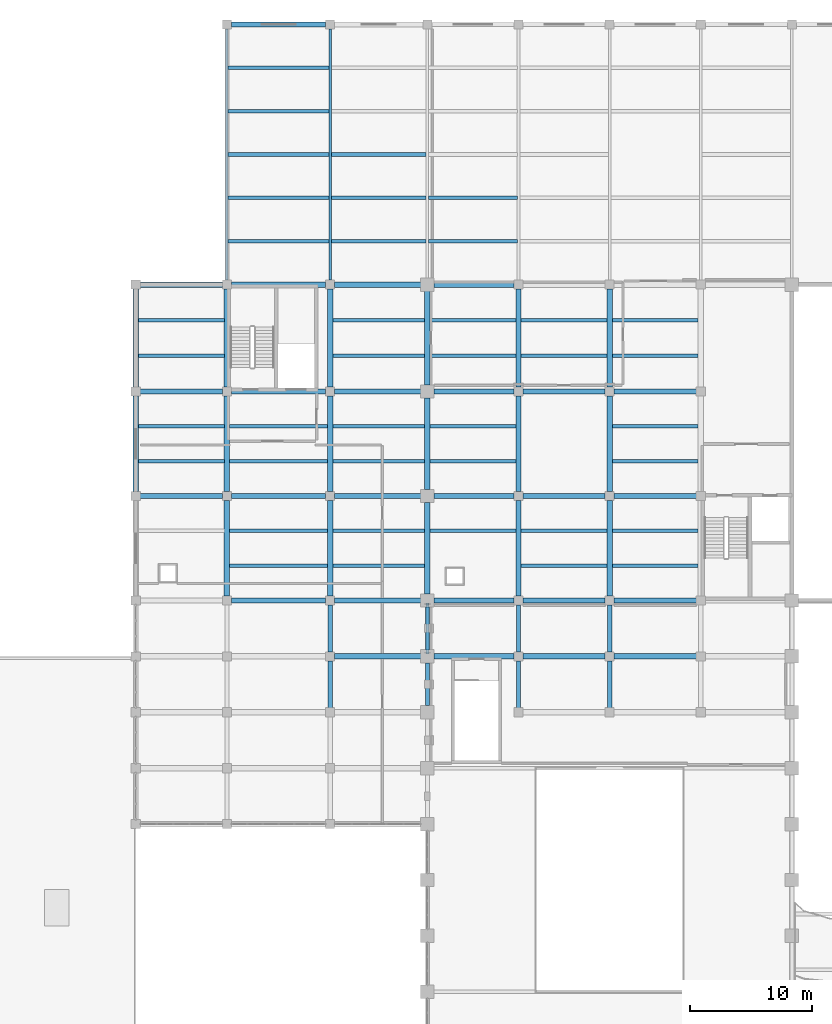
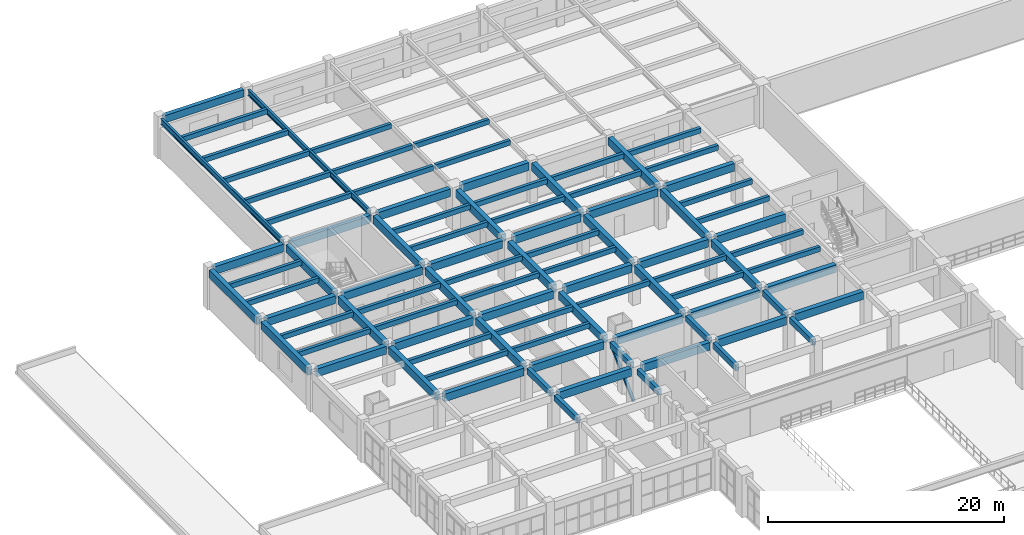
# One storey, part 32 of 90: 92 beams, 1 member.
"""IFC4 building model written with IfcOpenShell, lengths in metres."""

from ifc_helpers import new_model, si_unit, direction, frame, origin, origin_2d, place, context, subcontext, project, spatial, rectangle, hollow_rectangle, i_section, extrude, material, material_profile, profile_set, type_object, element, save


model = new_model("IFC4")

# Units and contexts
model_context = context("Model", 3, precision=1e-05, world=origin(), true_north=direction((0.0, 1.0)))
body_context = subcontext(model_context, "Body", "Model", "MODEL_VIEW")
ifc_project = project(units=[si_unit("LENGTHUNIT", "METRE"), si_unit("AREAUNIT", "SQUARE_METRE"), si_unit("VOLUMEUNIT", "CUBIC_METRE"), si_unit("PLANEANGLEUNIT", "RADIAN"), si_unit("MASSUNIT", "GRAM", prefix="KILO")], contexts=[model_context])

# Site, building, storey
site_placement = place(None, origin())
site = spatial("IfcSite", under=ifc_project, at=site_placement, CompositionType="ELEMENT")
building_placement = place(site_placement, origin())
building = spatial("IfcBuilding", under=site, at=building_placement, Name="Muzn Square Opera House", CompositionType="ELEMENT")
storey_placement = place(building_placement, frame((0.0, 0.0, 9.800048828125)))
storey = spatial("IfcBuildingStorey", under=building, at=storey_placement, Name="L02", CompositionType="ELEMENT", Elevation=9.800048828125)

# Beams
ifc_material_1 = material(Name="Concrete C40/50", Category="concrete")
ifc_material_profile_1 = material_profile(ifc_material_1, rectangle(XDim=0.300048828125, YDim=0.5, at=origin_2d()), Name="RCJ 300x500", Category="concrete")
ifc_profile_set_1 = profile_set([ifc_material_profile_1], Name="Concrete C40/50")
beam_type_1 = type_object("IfcBeamType", Name="Floor Joist 300x500", PredefinedType="JOIST", material=ifc_profile_set_1)
for number, where, z_axis, x_axis, name in (
    (1, (19.217041015625, 84.066650390625, 3.869873046875), (1.0, 0.0, 0.0), (0.0, 1.0, 0.0), "Floor Joist BM-L02-BM-J500-192_841_263_841-2297"),
    (2, (19.217041015625, 86.933349609375, 3.869873046875), (1.0, 0.0, 0.0), (0.0, 1.0, 0.0), "Floor Joist BM-L02-BM-J500-192_869_263_869-2298"),
    (3, (19.217041015625, 92.7333984375, 3.869873046875), (1.0, 0.0, 0.0), (0.0, 1.0, 0.0), "Floor Joist BM-L02-BM-J500-192_927_263_927-2299"),
    (4, (19.217041015625, 95.666748046875, 3.869873046875), (1.0, 0.0, 0.0), (0.0, 1.0, 0.0), "Floor Joist BM-L02-BM-J500-192_957_263_957-2300"),
):
    element("IfcBeam", number, at=place(storey_placement, frame(where, z_axis=z_axis, x_axis=x_axis)), inside=storey, type_object=beam_type_1, Name=name, PredefinedType="JOIST", context=body_context, shape_type="SweptSolid", body=[
        extrude(rectangle(XDim=0.300048828125, YDim=0.5, at=origin_2d()), origin(), (0.0, 0.0, 1.0), 7.06591796875),
    ])
for number, where, z_axis, x_axis, name in (
    (5, (26.717041015625, 75.466796875, 3.869873046875), (1.0, 0.0, 0.0), (0.0, 1.0, 0.0), "Floor Joist BM-L02-BM-J500-267_755_348_755-2302"),
    (6, (26.717041015625, 78.333251953125, 3.869873046875), (1.0, 0.0, 0.0), (0.0, 1.0, 0.0), "Floor Joist BM-L02-BM-J500-267_783_348_783-2303"),
    (7, (26.717041015625, 84.066650390625, 3.869873046875), (1.0, 0.0, 0.0), (0.0, 1.0, 0.0), "Floor Joist BM-L02-BM-J500-267_841_348_841-2304"),
    (8, (26.717041015625, 86.933349609375, 3.869873046875), (1.0, 0.0, 0.0), (0.0, 1.0, 0.0), "Floor Joist BM-L02-BM-J500-267_869_348_869-2305"),
):
    element("IfcBeam", number, at=place(storey_placement, frame(where, z_axis=z_axis, x_axis=x_axis)), inside=storey, type_object=beam_type_1, Name=name, PredefinedType="JOIST", context=body_context, shape_type="SweptSolid", body=[
        extrude(rectangle(XDim=0.300048828125, YDim=0.5, at=origin_2d()), origin(), (0.0, 0.0, 1.0), 8.06591796875),
    ])
for number, where, z_axis, x_axis, name in (
    (9, (26.60205078125, 102.166748046875, 3.89990234375), (1.0, 0.0, 0.0), (0.0, 1.0, 0.0), "Floor Joist BM-L02-BM-J500-266_1022_349_1022-2306"),
    (10, (26.60205078125, 105.7333984375, 3.89990234375), (1.0, 0.0, 0.0), (0.0, 1.0, 0.0), "Floor Joist BM-L02-BM-J500-266_1057_349_1057-2307"),
    (11, (26.60205078125, 109.300048828125, 3.89990234375), (1.0, 0.0, 0.0), (0.0, 1.0, 0.0), "Floor Joist BM-L02-BM-J500-266_1093_349_1093-2308"),
    (12, (26.60205078125, 112.86669921875, 3.89990234375), (1.0, 0.0, 0.0), (0.0, 1.0, 0.0), "Floor Joist BM-L02-BM-J500-266_1129_349_1129-2309"),
    (13, (26.60205078125, 116.433349609375, 3.89990234375), (1.0, 0.0, 0.0), (0.0, 1.0, 0.0), "Floor Joist BM-L02-BM-J500-266_1164_349_1164-2310"),
):
    element("IfcBeam", number, at=place(storey_placement, frame(where, z_axis=z_axis, x_axis=x_axis)), inside=storey, type_object=beam_type_1, Name=name, PredefinedType="JOIST", context=body_context, shape_type="SweptSolid", body=[
        extrude(rectangle(XDim=0.300048828125, YDim=0.5, at=origin_2d()), origin(), (0.0, 0.0, 1.0), 8.2958984375),
    ])
for number, where, z_axis, x_axis, name in (
    (14, (35.217041015625, 75.466796875, 3.869873046875), (1.0, 0.0, 0.0), (0.0, 1.0, 0.0), "Floor Joist BM-L02-BM-J500-352_755_428_755-2311"),
    (15, (35.217041015625, 78.333251953125, 3.869873046875), (1.0, 0.0, 0.0), (0.0, 1.0, 0.0), "Floor Joist BM-L02-BM-J500-352_783_428_783-2312"),
    (16, (35.217041015625, 84.066650390625, 3.869873046875), (1.0, 0.0, 0.0), (0.0, 1.0, 0.0), "Floor Joist BM-L02-BM-J500-352_841_428_841-2313"),
    (17, (35.217041015625, 86.933349609375, 3.869873046875), (1.0, 0.0, 0.0), (0.0, 1.0, 0.0), "Floor Joist BM-L02-BM-J500-352_869_428_869-2314"),
    (18, (35.217041015625, 92.7333984375, 3.869873046875), (1.0, 0.0, 0.0), (0.0, 1.0, 0.0), "Floor Joist BM-L02-BM-J500-352_927_428_927-2315"),
    (19, (35.217041015625, 95.666748046875, 3.869873046875), (1.0, 0.0, 0.0), (0.0, 1.0, 0.0), "Floor Joist BM-L02-BM-J500-352_957_428_957-2316"),
):
    element("IfcBeam", number, at=place(storey_placement, frame(where, z_axis=z_axis, x_axis=x_axis)), inside=storey, type_object=beam_type_1, Name=name, PredefinedType="JOIST", context=body_context, shape_type="SweptSolid", body=[
        extrude(rectangle(XDim=0.300048828125, YDim=0.5, at=origin_2d()), origin(), (0.0, 0.0, 1.0), 7.56591796875),
    ])
for number, where, z_axis, x_axis, name in (
    (20, (35.10205078125, 102.166748046875, 3.89990234375), (1.0, 0.0, 0.0), (0.0, 1.0, 0.0), "Floor Joist BM-L02-BM-J500-351_1022_429_1022-2317"),
    (21, (35.10205078125, 105.7333984375, 3.89990234375), (1.0, 0.0, 0.0), (0.0, 1.0, 0.0), "Floor Joist BM-L02-BM-J500-351_1057_429_1057-2318"),
    (22, (35.10205078125, 109.300048828125, 3.89990234375), (1.0, 0.0, 0.0), (0.0, 1.0, 0.0), "Floor Joist BM-L02-BM-J500-351_1093_429_1093-2319"),
):
    element("IfcBeam", number, at=place(storey_placement, frame(where, z_axis=z_axis, x_axis=x_axis)), inside=storey, type_object=beam_type_1, Name=name, PredefinedType="JOIST", context=body_context, shape_type="SweptSolid", body=[
        extrude(rectangle(XDim=0.300048828125, YDim=0.5, at=origin_2d()), origin(), (0.0, 0.0, 1.0), 7.7958984375),
    ])
for number, where, z_axis, x_axis, name in (
    (23, (43.217041015625, 78.333251953125, 3.89990234375), (1.0, 0.0, 0.0), (0.0, 1.0, 0.0), "Floor Joist BM-L02-BM-J500-432_783_503_783-2323"),
    (24, (43.217041015625, 84.066650390625, 3.89990234375), (1.0, 0.0, 0.0), (0.0, 1.0, 0.0), "Floor Joist BM-L02-BM-J500-432_841_503_841-2324"),
    (25, (43.217041015625, 86.933349609375, 3.89990234375), (1.0, 0.0, 0.0), (0.0, 1.0, 0.0), "Floor Joist BM-L02-BM-J500-432_869_503_869-2325"),
    (26, (43.217041015625, 92.7333984375, 3.89990234375), (1.0, 0.0, 0.0), (0.0, 1.0, 0.0), "Floor Joist BM-L02-BM-J500-432_927_503_927-2326"),
    (27, (43.217041015625, 95.666748046875, 3.89990234375), (1.0, 0.0, 0.0), (0.0, 1.0, 0.0), "Floor Joist BM-L02-BM-J500-432_957_503_957-2327"),
):
    element("IfcBeam", number, at=place(storey_placement, frame(where, z_axis=z_axis, x_axis=x_axis)), inside=storey, type_object=beam_type_1, Name=name, PredefinedType="JOIST", context=body_context, shape_type="SweptSolid", body=[
        extrude(rectangle(XDim=0.300048828125, YDim=0.5, at=origin_2d()), origin(), (0.0, 0.0, 1.0), 7.06591796875),
    ])
for number, where, z_axis, x_axis, name in (
    (28, (43.10205078125, 102.166748046875, 3.89990234375), (1.0, 0.0, 0.0), (0.0, 1.0, 0.0), "Floor Joist BM-L02-BM-J500-431_1022_504_1022-2328"),
    (29, (43.10205078125, 105.7333984375, 3.89990234375), (1.0, 0.0, 0.0), (0.0, 1.0, 0.0), "Floor Joist BM-L02-BM-J500-431_1057_504_1057-2329"),
):
    element("IfcBeam", number, at=place(storey_placement, frame(where, z_axis=z_axis, x_axis=x_axis)), inside=storey, type_object=beam_type_1, Name=name, PredefinedType="JOIST", context=body_context, shape_type="SweptSolid", body=[
        extrude(rectangle(XDim=0.300048828125, YDim=0.5, at=origin_2d()), origin(), (0.0, 0.0, 1.0), 7.2958984375),
    ])
for number, where, z_axis, x_axis, name in (
    (30, (50.717041015625, 75.466796875, 3.89990234375), (1.0, 0.0, 0.0), (0.0, 1.0, 0.0), "Floor Joist BM-L02-BM-J500-507_755_578_755-2333"),
    (31, (50.717041015625, 78.333251953125, 3.89990234375), (1.0, 0.0, 0.0), (0.0, 1.0, 0.0), "Floor Joist BM-L02-BM-J500-507_783_578_783-2334"),
    (32, (50.717041015625, 92.7333984375, 3.89990234375), (1.0, 0.0, 0.0), (0.0, 1.0, 0.0), "Floor Joist BM-L02-BM-J500-507_927_578_927-2337"),
    (33, (50.717041015625, 95.666748046875, 3.89990234375), (1.0, 0.0, 0.0), (0.0, 1.0, 0.0), "Floor Joist BM-L02-BM-J500-507_957_578_957-2338"),
    (34, (58.217041015625, 75.466796875, 3.89990234375), (1.0, 0.0, 0.0), (0.0, 1.0, 0.0), "Floor Joist BM-L02-BM-J500-582_755_653_755-2344"),
    (35, (58.217041015625, 78.333251953125, 3.89990234375), (1.0, 0.0, 0.0), (0.0, 1.0, 0.0), "Floor Joist BM-L02-BM-J500-582_783_653_783-2345"),
    (36, (58.217041015625, 84.066650390625, 3.89990234375), (1.0, 0.0, 0.0), (0.0, 1.0, 0.0), "Floor Joist BM-L02-BM-J500-582_841_653_841-2346"),
    (37, (58.217041015625, 86.933349609375, 3.89990234375), (1.0, 0.0, 0.0), (0.0, 1.0, 0.0), "Floor Joist BM-L02-BM-J500-582_869_653_869-2347"),
    (38, (58.217041015625, 92.7333984375, 3.89990234375), (1.0, 0.0, 0.0), (0.0, 1.0, 0.0), "Floor Joist BM-L02-BM-J500-582_927_653_927-2348"),
    (39, (58.217041015625, 95.666748046875, 3.89990234375), (1.0, 0.0, 0.0), (0.0, 1.0, 0.0), "Floor Joist BM-L02-BM-J500-582_957_653_957-2349"),
):
    element("IfcBeam", number, at=place(storey_placement, frame(where, z_axis=z_axis, x_axis=x_axis)), inside=storey, type_object=beam_type_1, Name=name, PredefinedType="JOIST", context=body_context, shape_type="SweptSolid", body=[
        extrude(rectangle(XDim=0.300048828125, YDim=0.5, at=origin_2d()), origin(), (0.0, 0.0, 1.0), 7.06591796875),
    ])
ifc_material_profile_2 = material_profile(ifc_material_1, rectangle(XDim=0.35009765625, YDim=0.60009765625, at=origin_2d()), Name="RCB 350x600", Category="concrete")
ifc_profile_set_2 = profile_set([ifc_material_profile_2], Name="Concrete C40/50")
beam_type_2 = type_object("IfcBeamType", Name="Primary Girder 350x600", PredefinedType="BEAM", material=ifc_profile_set_2)
for number, where, z_axis, x_axis, name in (
    (40, (35.0, 63.76708984375, 3.820068359375), (0.0, 1.0, 0.0), (-1.0, 0.0, 0.0), "Primary Girder BM-L02-BM-PG600-350_638_350_676-2147"),
    (41, (35.0, 68.366943359375, 3.820068359375), (0.0, 1.0, 0.0), (-1.0, 0.0, 0.0), "Primary Girder BM-L02-BM-PG600-350_684_350_722-2148"),
):
    element("IfcBeam", number, at=place(storey_placement, frame(where, z_axis=z_axis, x_axis=x_axis)), inside=storey, type_object=beam_type_2, Name=name, PredefinedType="BEAM", context=body_context, shape_type="SweptSolid", body=[
        extrude(rectangle(XDim=0.35009765625, YDim=0.60009765625, at=origin_2d()), origin(), (0.0, 0.0, 1.0), 3.865966796875),
    ])
for number, where, z_axis, x_axis, name in (
    (42, (43.0, 63.94189453125, 3.820068359375), (0.0, 1.0, 0.0), (-1.0, 0.0, 0.0), "Primary Girder BM-L02-BM-PG600-430_639_430_675-2162"),
    (43, (43.0, 68.5419921875, 3.820068359375), (0.0, 1.0, 0.0), (-1.0, 0.0, 0.0), "Primary Girder BM-L02-BM-PG600-430_685_430_721-2163"),
):
    element("IfcBeam", number, at=place(storey_placement, frame(where, z_axis=z_axis, x_axis=x_axis)), inside=storey, type_object=beam_type_2, Name=name, PredefinedType="BEAM", context=body_context, shape_type="SweptSolid", body=[
        extrude(rectangle(XDim=0.35009765625, YDim=0.60009765625, at=origin_2d()), origin(), (0.0, 0.0, 1.0), 3.51611328125),
    ])
for number, where, z_axis, x_axis, name in (
    (44, (50.5, 63.76708984375, 3.820068359375), (0.0, 1.0, 0.0), (-1.0, 0.0, 0.0), "Primary Girder BM-L02-BM-PG600-505_638_505_676-2171"),
    (45, (50.5, 68.366943359375, 3.820068359375), (0.0, 1.0, 0.0), (-1.0, 0.0, 0.0), "Primary Girder BM-L02-BM-PG600-505_684_505_722-2172"),
    (46, (58.0, 63.76708984375, 3.820068359375), (0.0, 1.0, 0.0), (-1.0, 0.0, 0.0), "Primary Girder BM-L02-BM-PG600-580_638_580_676-2180"),
    (47, (58.0, 68.366943359375, 3.820068359375), (0.0, 1.0, 0.0), (-1.0, 0.0, 0.0), "Primary Girder BM-L02-BM-PG600-580_684_580_722-2181"),
):
    element("IfcBeam", number, at=place(storey_placement, frame(where, z_axis=z_axis, x_axis=x_axis)), inside=storey, type_object=beam_type_2, Name=name, PredefinedType="BEAM", context=body_context, shape_type="SweptSolid", body=[
        extrude(rectangle(XDim=0.35009765625, YDim=0.60009765625, at=origin_2d()), origin(), (0.0, 0.0, 1.0), 3.865966796875),
    ])
ifc_material_profile_3 = material_profile(ifc_material_1, rectangle(XDim=0.449951171875, YDim=0.800048828125, at=origin_2d()), Name="RCB 450x800", Category="concrete")
ifc_profile_set_3 = profile_set([ifc_material_profile_3], Name="Concrete C40/50")
beam_type_3 = type_object("IfcBeamType", Name="Primary Girder 450x800", PredefinedType="BEAM", material=ifc_profile_set_3)
beam_1_placement = place(storey_placement, frame((35.366943359375, 68.0, 3.719970703125), z_axis=(1.0, 0.0, 0.0), x_axis=(0.0, 1.0, 0.0)))
element("IfcBeam", 48, at=beam_1_placement, inside=storey, type_object=beam_type_3, Name="Primary Girder BM-L02-BM-PG800-354_680_425_680-2037", PredefinedType="BEAM", context=body_context, shape_type="SweptSolid", body=[
    extrude(rectangle(XDim=0.449951171875, YDim=0.800048828125, at=origin_2d()), origin(), (0.0, 0.0, 1.0), 7.091064453125),
])
beam_2_placement = place(storey_placement, frame((43.5419921875, 68.0, 3.719970703125), z_axis=(1.0, 0.0, 0.0), x_axis=(0.0, 1.0, 0.0)))
element("IfcBeam", 49, at=beam_2_placement, inside=storey, type_object=beam_type_3, Name="Primary Girder BM-L02-BM-PG800-435_680_501_680-2038", PredefinedType="BEAM", context=body_context, shape_type="SweptSolid", body=[
    extrude(rectangle(XDim=0.449951171875, YDim=0.800048828125, at=origin_2d()), origin(), (0.0, 0.0, 1.0), 6.591064453125),
])
for number, where, z_axis, x_axis, name in (
    (50, (50.866943359375, 68.0, 3.719970703125), (1.0, 0.0, 0.0), (0.0, 1.0, 0.0), "Primary Girder BM-L02-BM-PG800-509_680_576_680-2039"),
    (51, (58.366943359375, 68.0, 3.719970703125), (1.0, 0.0, 0.0), (0.0, 1.0, 0.0), "Primary Girder BM-L02-BM-PG800-584_680_651_680-2040"),
):
    element("IfcBeam", number, at=place(storey_placement, frame(where, z_axis=z_axis, x_axis=x_axis)), inside=storey, type_object=beam_type_3, Name=name, PredefinedType="BEAM", context=body_context, shape_type="SweptSolid", body=[
        extrude(rectangle(XDim=0.449951171875, YDim=0.800048828125, at=origin_2d()), origin(), (0.0, 0.0, 1.0), 6.76611328125),
    ])
beam_3_placement = place(storey_placement, frame((26.866943359375, 72.60009765625, 3.719970703125), z_axis=(1.0, 0.0, 0.0), x_axis=(0.0, 1.0, 0.0)))
element("IfcBeam", 52, at=beam_3_placement, inside=storey, type_object=beam_type_3, Name="Primary Girder BM-L02-BM-PG800-269_726_346_726-2050", PredefinedType="BEAM", context=body_context, shape_type="SweptSolid", body=[
    extrude(rectangle(XDim=0.449951171875, YDim=0.800048828125, at=origin_2d()), origin(), (0.0, 0.0, 1.0), 7.76611328125),
])
beam_4_placement = place(storey_placement, frame((35.366943359375, 72.60009765625, 3.719970703125), z_axis=(1.0, 0.0, 0.0), x_axis=(0.0, 1.0, 0.0)))
element("IfcBeam", 53, at=beam_4_placement, inside=storey, type_object=beam_type_3, Name="Primary Girder BM-L02-BM-PG800-354_726_425_726-2051", PredefinedType="BEAM", context=body_context, shape_type="SweptSolid", body=[
    extrude(rectangle(XDim=0.449951171875, YDim=0.800048828125, at=origin_2d()), origin(), (0.0, 0.0, 1.0), 7.091064453125),
])
beam_5_placement = place(storey_placement, frame((43.5419921875, 72.60009765625, 3.719970703125), z_axis=(1.0, 0.0, 0.0), x_axis=(0.0, 1.0, 0.0)))
element("IfcBeam", 54, at=beam_5_placement, inside=storey, type_object=beam_type_3, Name="Primary Girder BM-L02-BM-PG800-435_726_501_726-2052", PredefinedType="BEAM", context=body_context, shape_type="SweptSolid", body=[
    extrude(rectangle(XDim=0.449951171875, YDim=0.800048828125, at=origin_2d()), origin(), (0.0, 0.0, 1.0), 6.591064453125),
])
for number, where, z_axis, x_axis, name in (
    (55, (50.866943359375, 72.60009765625, 3.719970703125), (1.0, 0.0, 0.0), (0.0, 1.0, 0.0), "Primary Girder BM-L02-BM-PG800-509_726_576_726-2053"),
    (56, (58.366943359375, 72.60009765625, 3.719970703125), (1.0, 0.0, 0.0), (0.0, 1.0, 0.0), "Primary Girder BM-L02-BM-PG800-584_726_651_726-2054"),
    (57, (19.366943359375, 81.199951171875, 3.719970703125), (1.0, 0.0, 0.0), (0.0, 1.0, 0.0), "Primary Girder BM-L02-BM-PG800-194_812_261_812-2065"),
):
    element("IfcBeam", number, at=place(storey_placement, frame(where, z_axis=z_axis, x_axis=x_axis)), inside=storey, type_object=beam_type_3, Name=name, PredefinedType="BEAM", context=body_context, shape_type="SweptSolid", body=[
        extrude(rectangle(XDim=0.449951171875, YDim=0.800048828125, at=origin_2d()), origin(), (0.0, 0.0, 1.0), 6.76611328125),
    ])
beam_6_placement = place(storey_placement, frame((26.866943359375, 81.199951171875, 3.719970703125), z_axis=(1.0, 0.0, 0.0), x_axis=(0.0, 1.0, 0.0)))
element("IfcBeam", 58, at=beam_6_placement, inside=storey, type_object=beam_type_3, Name="Primary Girder BM-L02-BM-PG800-269_812_346_812-2066", PredefinedType="BEAM", context=body_context, shape_type="SweptSolid", body=[
    extrude(rectangle(XDim=0.449951171875, YDim=0.800048828125, at=origin_2d()), origin(), (0.0, 0.0, 1.0), 7.76611328125),
])
beam_7_placement = place(storey_placement, frame((35.366943359375, 81.199951171875, 3.719970703125), z_axis=(1.0, 0.0, 0.0), x_axis=(0.0, 1.0, 0.0)))
element("IfcBeam", 59, at=beam_7_placement, inside=storey, type_object=beam_type_3, Name="Primary Girder BM-L02-BM-PG800-354_812_425_812-2067", PredefinedType="BEAM", context=body_context, shape_type="SweptSolid", body=[
    extrude(rectangle(XDim=0.449951171875, YDim=0.800048828125, at=origin_2d()), origin(), (0.0, 0.0, 1.0), 7.091064453125),
])
beam_8_placement = place(storey_placement, frame((43.5419921875, 81.199951171875, 3.75), z_axis=(1.0, 0.0, 0.0), x_axis=(0.0, 1.0, 0.0)))
element("IfcBeam", 60, at=beam_8_placement, inside=storey, type_object=beam_type_3, Name="Primary Girder BM-L02-BM-PG800-435_812_501_812-2068", PredefinedType="BEAM", context=body_context, shape_type="SweptSolid", body=[
    extrude(rectangle(XDim=0.449951171875, YDim=0.800048828125, at=origin_2d()), origin(), (0.0, 0.0, 1.0), 6.591064453125),
])
for number, where, z_axis, x_axis, name in (
    (61, (50.866943359375, 81.199951171875, 3.75), (1.0, 0.0, 0.0), (0.0, 1.0, 0.0), "Primary Girder BM-L02-BM-PG800-509_812_576_812-2069"),
    (62, (58.366943359375, 81.199951171875, 3.75), (1.0, 0.0, 0.0), (0.0, 1.0, 0.0), "Primary Girder BM-L02-BM-PG800-584_812_651_812-2070"),
    (63, (19.366943359375, 89.800048828125, 3.719970703125), (1.0, 0.0, 0.0), (0.0, 1.0, 0.0), "Primary Girder BM-L02-BM-PG800-194_898_261_898-2076"),
):
    element("IfcBeam", number, at=place(storey_placement, frame(where, z_axis=z_axis, x_axis=x_axis)), inside=storey, type_object=beam_type_3, Name=name, PredefinedType="BEAM", context=body_context, shape_type="SweptSolid", body=[
        extrude(rectangle(XDim=0.449951171875, YDim=0.800048828125, at=origin_2d()), origin(), (0.0, 0.0, 1.0), 6.76611328125),
    ])
beam_9_placement = place(storey_placement, frame((26.866943359375, 89.800048828125, 3.719970703125), z_axis=(1.0, 0.0, 0.0), x_axis=(0.0, 1.0, 0.0)))
element("IfcBeam", 64, at=beam_9_placement, inside=storey, type_object=beam_type_3, Name="Primary Girder BM-L02-BM-PG800-269_898_346_898-2077", PredefinedType="BEAM", context=body_context, shape_type="SweptSolid", body=[
    extrude(rectangle(XDim=0.449951171875, YDim=0.800048828125, at=origin_2d()), origin(), (0.0, 0.0, 1.0), 7.76611328125),
])
beam_10_placement = place(storey_placement, frame((35.366943359375, 89.800048828125, 3.719970703125), z_axis=(1.0, 0.0, 0.0), x_axis=(0.0, 1.0, 0.0)))
element("IfcBeam", 65, at=beam_10_placement, inside=storey, type_object=beam_type_3, Name="Primary Girder BM-L02-BM-PG800-354_898_425_898-2078", PredefinedType="BEAM", context=body_context, shape_type="SweptSolid", body=[
    extrude(rectangle(XDim=0.449951171875, YDim=0.800048828125, at=origin_2d()), origin(), (0.0, 0.0, 1.0), 7.091064453125),
])
beam_11_placement = place(storey_placement, frame((43.5419921875, 89.800048828125, 3.75), z_axis=(1.0, 0.0, 0.0), x_axis=(0.0, 1.0, 0.0)))
element("IfcBeam", 66, at=beam_11_placement, inside=storey, type_object=beam_type_3, Name="Primary Girder BM-L02-BM-PG800-435_898_501_898-2079", PredefinedType="BEAM", context=body_context, shape_type="SweptSolid", body=[
    extrude(rectangle(XDim=0.449951171875, YDim=0.800048828125, at=origin_2d()), origin(), (0.0, 0.0, 1.0), 6.591064453125),
])
for number, where, z_axis, x_axis, name in (
    (67, (50.866943359375, 89.800048828125, 3.75), (1.0, 0.0, 0.0), (0.0, 1.0, 0.0), "Primary Girder BM-L02-BM-PG800-509_898_576_898-2080"),
    (68, (58.366943359375, 89.800048828125, 3.75), (1.0, 0.0, 0.0), (0.0, 1.0, 0.0), "Primary Girder BM-L02-BM-PG800-584_898_651_898-2081"),
    (69, (19.366943359375, 98.60009765625, 3.719970703125), (1.0, 0.0, 0.0), (0.0, 1.0, 0.0), "Primary Girder BM-L02-BM-PG800-194_986_261_986-2090"),
):
    element("IfcBeam", number, at=place(storey_placement, frame(where, z_axis=z_axis, x_axis=x_axis)), inside=storey, type_object=beam_type_3, Name=name, PredefinedType="BEAM", context=body_context, shape_type="SweptSolid", body=[
        extrude(rectangle(XDim=0.449951171875, YDim=0.800048828125, at=origin_2d()), origin(), (0.0, 0.0, 1.0), 6.76611328125),
    ])
beam_12_placement = place(storey_placement, frame((26.866943359375, 98.60009765625, 3.719970703125), z_axis=(1.0, 0.0, 0.0), x_axis=(0.0, 1.0, 0.0)))
element("IfcBeam", 70, at=beam_12_placement, inside=storey, type_object=beam_type_3, Name="Primary Girder BM-L02-BM-PG800-269_986_346_986-2091", PredefinedType="BEAM", context=body_context, shape_type="SweptSolid", body=[
    extrude(rectangle(XDim=0.449951171875, YDim=0.800048828125, at=origin_2d()), origin(), (0.0, 0.0, 1.0), 7.76611328125),
])
beam_13_placement = place(storey_placement, frame((35.366943359375, 98.60009765625, 3.719970703125), z_axis=(1.0, 0.0, 0.0), x_axis=(0.0, 1.0, 0.0)))
element("IfcBeam", 71, at=beam_13_placement, inside=storey, type_object=beam_type_3, Name="Primary Girder BM-L02-BM-PG800-354_986_425_986-2092", PredefinedType="BEAM", context=body_context, shape_type="SweptSolid", body=[
    extrude(rectangle(XDim=0.449951171875, YDim=0.800048828125, at=origin_2d()), origin(), (0.0, 0.0, 1.0), 7.091064453125),
])
beam_14_placement = place(storey_placement, frame((43.5419921875, 98.60009765625, 3.75), z_axis=(1.0, 0.0, 0.0), x_axis=(0.0, 1.0, 0.0)))
element("IfcBeam", 72, at=beam_14_placement, inside=storey, type_object=beam_type_3, Name="Primary Girder BM-L02-BM-PG800-435_986_501_986-2093", PredefinedType="BEAM", context=body_context, shape_type="SweptSolid", body=[
    extrude(rectangle(XDim=0.449951171875, YDim=0.800048828125, at=origin_2d()), origin(), (0.0, 0.0, 1.0), 6.591064453125),
])
beam_15_placement = place(storey_placement, frame((19.0, 81.56689453125, 3.719970703125), z_axis=(0.0, 1.0, 0.0), x_axis=(-1.0, 0.0, 0.0)))
element("IfcBeam", 73, at=beam_15_placement, inside=storey, type_object=beam_type_3, Name="Primary Girder BM-L02-BM-PG800-190_816_190_894-2129", PredefinedType="BEAM", context=body_context, shape_type="SweptSolid", body=[
    extrude(rectangle(XDim=0.449951171875, YDim=0.800048828125, at=origin_2d()), origin(), (0.0, 0.0, 1.0), 7.8662109375),
])
beam_16_placement = place(storey_placement, frame((19.0, 90.1669921875, 3.719970703125), z_axis=(0.0, 1.0, 0.0), x_axis=(-1.0, 0.0, 0.0)))
element("IfcBeam", 74, at=beam_16_placement, inside=storey, type_object=beam_type_3, Name="Primary Girder BM-L02-BM-PG800-190_902_190_982-2130", PredefinedType="BEAM", context=body_context, shape_type="SweptSolid", body=[
    extrude(rectangle(XDim=0.449951171875, YDim=0.800048828125, at=origin_2d()), origin(), (0.0, 0.0, 1.0), 8.06591796875),
])
beam_17_placement = place(storey_placement, frame((26.5, 72.967041015625, 3.719970703125), z_axis=(0.0, 1.0, 0.0), x_axis=(-1.0, 0.0, 0.0)))
element("IfcBeam", 75, at=beam_17_placement, inside=storey, type_object=beam_type_3, Name="Primary Girder BM-L02-BM-PG800-265_730_265_808-2138", PredefinedType="BEAM", context=body_context, shape_type="SweptSolid", body=[
    extrude(rectangle(XDim=0.449951171875, YDim=0.800048828125, at=origin_2d()), origin(), (0.0, 0.0, 1.0), 7.865966796875),
])
beam_18_placement = place(storey_placement, frame((26.5, 81.56689453125, 3.719970703125), z_axis=(0.0, 1.0, 0.0), x_axis=(-1.0, 0.0, 0.0)))
element("IfcBeam", 76, at=beam_18_placement, inside=storey, type_object=beam_type_3, Name="Primary Girder BM-L02-BM-PG800-265_816_265_894-2139", PredefinedType="BEAM", context=body_context, shape_type="SweptSolid", body=[
    extrude(rectangle(XDim=0.449951171875, YDim=0.800048828125, at=origin_2d()), origin(), (0.0, 0.0, 1.0), 7.8662109375),
])
beam_19_placement = place(storey_placement, frame((26.5, 90.1669921875, 3.719970703125), z_axis=(0.0, 1.0, 0.0), x_axis=(-1.0, 0.0, 0.0)))
element("IfcBeam", 77, at=beam_19_placement, inside=storey, type_object=beam_type_3, Name="Primary Girder BM-L02-BM-PG800-265_902_265_982-2140", PredefinedType="BEAM", context=body_context, shape_type="SweptSolid", body=[
    extrude(rectangle(XDim=0.449951171875, YDim=0.800048828125, at=origin_2d()), origin(), (0.0, 0.0, 1.0), 8.06591796875),
])
beam_20_placement = place(storey_placement, frame((35.0, 72.967041015625, 3.719970703125), z_axis=(0.0, 1.0, 0.0), x_axis=(-1.0, 0.0, 0.0)))
element("IfcBeam", 78, at=beam_20_placement, inside=storey, type_object=beam_type_3, Name="Primary Girder BM-L02-BM-PG800-350_730_350_808-2149", PredefinedType="BEAM", context=body_context, shape_type="SweptSolid", body=[
    extrude(rectangle(XDim=0.449951171875, YDim=0.800048828125, at=origin_2d()), origin(), (0.0, 0.0, 1.0), 7.865966796875),
])
beam_21_placement = place(storey_placement, frame((35.0, 81.56689453125, 3.719970703125), z_axis=(0.0, 1.0, 0.0), x_axis=(-1.0, 0.0, 0.0)))
element("IfcBeam", 79, at=beam_21_placement, inside=storey, type_object=beam_type_3, Name="Primary Girder BM-L02-BM-PG800-350_816_350_894-2150", PredefinedType="BEAM", context=body_context, shape_type="SweptSolid", body=[
    extrude(rectangle(XDim=0.449951171875, YDim=0.800048828125, at=origin_2d()), origin(), (0.0, 0.0, 1.0), 7.8662109375),
])
beam_22_placement = place(storey_placement, frame((35.0, 90.1669921875, 3.719970703125), z_axis=(0.0, 1.0, 0.0), x_axis=(-1.0, 0.0, 0.0)))
element("IfcBeam", 80, at=beam_22_placement, inside=storey, type_object=beam_type_3, Name="Primary Girder BM-L02-BM-PG800-350_902_350_982-2151", PredefinedType="BEAM", context=body_context, shape_type="SweptSolid", body=[
    extrude(rectangle(XDim=0.449951171875, YDim=0.800048828125, at=origin_2d()), origin(), (0.0, 0.0, 1.0), 8.06591796875),
])
beam_23_placement = place(storey_placement, frame((43.0, 73.14208984375, 3.719970703125), z_axis=(0.0, 1.0, 0.0), x_axis=(-1.0, 0.0, 0.0)))
element("IfcBeam", 81, at=beam_23_placement, inside=storey, type_object=beam_type_3, Name="Primary Girder BM-L02-BM-PG800-430_731_430_807-2164", PredefinedType="BEAM", context=body_context, shape_type="SweptSolid", body=[
    extrude(rectangle(XDim=0.449951171875, YDim=0.800048828125, at=origin_2d()), origin(), (0.0, 0.0, 1.0), 7.515869140625),
])
beam_24_placement = place(storey_placement, frame((43.0, 81.741943359375, 3.719970703125), z_axis=(0.0, 1.0, 0.0), x_axis=(-1.0, 0.0, 0.0)))
element("IfcBeam", 82, at=beam_24_placement, inside=storey, type_object=beam_type_3, Name="Primary Girder BM-L02-BM-PG800-430_817_430_893-2165", PredefinedType="BEAM", context=body_context, shape_type="SweptSolid", body=[
    extrude(rectangle(XDim=0.449951171875, YDim=0.800048828125, at=origin_2d()), origin(), (0.0, 0.0, 1.0), 7.51611328125),
])
beam_25_placement = place(storey_placement, frame((43.0, 90.342041015625, 3.719970703125), z_axis=(0.0, 1.0, 0.0), x_axis=(-1.0, 0.0, 0.0)))
element("IfcBeam", 83, at=beam_25_placement, inside=storey, type_object=beam_type_3, Name="Primary Girder BM-L02-BM-PG800-430_903_430_981-2166", PredefinedType="BEAM", context=body_context, shape_type="SweptSolid", body=[
    extrude(rectangle(XDim=0.449951171875, YDim=0.800048828125, at=origin_2d()), origin(), (0.0, 0.0, 1.0), 7.716064453125),
])
beam_26_placement = place(storey_placement, frame((50.5, 72.967041015625, 3.75), z_axis=(0.0, 1.0, 0.0), x_axis=(-1.0, 0.0, 0.0)))
element("IfcBeam", 84, at=beam_26_placement, inside=storey, type_object=beam_type_3, Name="Primary Girder BM-L02-BM-PG800-505_730_505_808-2173", PredefinedType="BEAM", context=body_context, shape_type="SweptSolid", body=[
    extrude(rectangle(XDim=0.449951171875, YDim=0.800048828125, at=origin_2d()), origin(), (0.0, 0.0, 1.0), 7.865966796875),
])
beam_27_placement = place(storey_placement, frame((50.5, 81.56689453125, 3.75), z_axis=(0.0, 1.0, 0.0), x_axis=(-1.0, 0.0, 0.0)))
element("IfcBeam", 85, at=beam_27_placement, inside=storey, type_object=beam_type_3, Name="Primary Girder BM-L02-BM-PG800-505_816_505_894-2174", PredefinedType="BEAM", context=body_context, shape_type="SweptSolid", body=[
    extrude(rectangle(XDim=0.449951171875, YDim=0.800048828125, at=origin_2d()), origin(), (0.0, 0.0, 1.0), 7.8662109375),
])
beam_28_placement = place(storey_placement, frame((50.5, 90.1669921875, 3.75), z_axis=(0.0, 1.0, 0.0), x_axis=(-1.0, 0.0, 0.0)))
element("IfcBeam", 86, at=beam_28_placement, inside=storey, type_object=beam_type_3, Name="Primary Girder BM-L02-BM-PG800-505_902_505_982-2175", PredefinedType="BEAM", context=body_context, shape_type="SweptSolid", body=[
    extrude(rectangle(XDim=0.449951171875, YDim=0.800048828125, at=origin_2d()), origin(), (0.0, 0.0, 1.0), 8.06591796875),
])
beam_29_placement = place(storey_placement, frame((58.0, 72.967041015625, 3.75), z_axis=(0.0, 1.0, 0.0), x_axis=(-1.0, 0.0, 0.0)))
element("IfcBeam", 87, at=beam_29_placement, inside=storey, type_object=beam_type_3, Name="Primary Girder BM-L02-BM-PG800-580_730_580_808-2182", PredefinedType="BEAM", context=body_context, shape_type="SweptSolid", body=[
    extrude(rectangle(XDim=0.449951171875, YDim=0.800048828125, at=origin_2d()), origin(), (0.0, 0.0, 1.0), 7.865966796875),
])
beam_30_placement = place(storey_placement, frame((58.0, 81.56689453125, 3.75), z_axis=(0.0, 1.0, 0.0), x_axis=(-1.0, 0.0, 0.0)))
element("IfcBeam", 88, at=beam_30_placement, inside=storey, type_object=beam_type_3, Name="Primary Girder BM-L02-BM-PG800-580_816_580_894-2183", PredefinedType="BEAM", context=body_context, shape_type="SweptSolid", body=[
    extrude(rectangle(XDim=0.449951171875, YDim=0.800048828125, at=origin_2d()), origin(), (0.0, 0.0, 1.0), 7.8662109375),
])
beam_31_placement = place(storey_placement, frame((58.0, 90.1669921875, 3.75), z_axis=(0.0, 1.0, 0.0), x_axis=(-1.0, 0.0, 0.0)))
element("IfcBeam", 89, at=beam_31_placement, inside=storey, type_object=beam_type_3, Name="Primary Girder BM-L02-BM-PG800-580_902_580_982-2184", PredefinedType="BEAM", context=body_context, shape_type="SweptSolid", body=[
    extrude(rectangle(XDim=0.449951171875, YDim=0.800048828125, at=origin_2d()), origin(), (0.0, 0.0, 1.0), 8.06591796875),
])
ifc_material_profile_4 = material_profile(ifc_material_1, rectangle(XDim=0.39990234375, YDim=0.75, at=origin_2d()), Name="RCS 400x750", Category="concrete")
ifc_profile_set_4 = profile_set([ifc_material_profile_4], Name="Concrete C40/50")
beam_type_4 = type_object("IfcBeamType", Name="Spandrel Beam 400x750", PredefinedType="SPANDREL", material=ifc_profile_set_4)
beam_32_placement = place(storey_placement, frame((26.866943359375, 120.0, 3.744873046875), z_axis=(1.0, 0.0, 0.0), x_axis=(0.0, 1.0, 0.0)))
element("IfcBeam", 90, at=beam_32_placement, inside=storey, type_object=beam_type_4, Name="Spandrel Beam BM-L02-BM-SP750-269_1200_346_1200-2103", PredefinedType="SPANDREL", context=body_context, shape_type="SweptSolid", body=[
    extrude(rectangle(XDim=0.39990234375, YDim=0.75, at=origin_2d()), origin(), (0.0, 0.0, 1.0), 7.76611328125),
])
ifc_material_2 = material(Name="Steel S355", Category="steel")
ifc_material_profile_5 = material_profile(ifc_material_2, i_section(OverallWidth=0.219970703125, OverallDepth=0.60009765625, WebThickness=0.011962890625, FlangeThickness=0.01904296875, FilletRadius=0.02392578125, at=origin_2d()), Name="IPE 600", Category="steel")
ifc_profile_set_5 = profile_set([ifc_material_profile_5], Name="Steel S355")
beam_type_5 = type_object("IfcBeamType", Name="Stage Gallery Beam IPE600", PredefinedType="BEAM", material=ifc_profile_set_5)
for number, where, z_axis, x_axis, name in (
    (91, (26.5, 98.967041015625, 3.820068359375), (0.0, 1.0, 0.0), (-1.0, 0.0, 0.0), "Primary Girder BM-L02-BM-SG600-265_990_265_1196-2141"),
    (92, (35.0, 98.967041015625, 3.849853515625), (0.0, 1.0, 0.0), (-1.0, 0.0, 0.0), "Primary Girder BM-L02-BM-SG600-350_990_350_1196-2152"),
):
    element("IfcBeam", number, at=place(storey_placement, frame(where, z_axis=z_axis, x_axis=x_axis)), inside=storey, type_object=beam_type_5, Name=name, PredefinedType="BEAM", context=body_context, shape_type="SweptSolid", body=[
        extrude(i_section(OverallWidth=0.219970703125, OverallDepth=0.60009765625, WebThickness=0.011962890625, FlangeThickness=0.01904296875, FilletRadius=0.02392578125, at=origin_2d()), origin(), (0.0, 0.0, 1.0), 20.666015625),
    ])

# Member
ifc_material_profile_6 = material_profile(ifc_material_2, hollow_rectangle(XDim=0.25, YDim=0.25, WallThickness=0.012451171875, at=origin_2d()), Name="SHS 250x250x12.5", Category="steel")
ifc_profile_set_6 = profile_set([ifc_material_profile_6], Name="Steel S355")
member_type = type_object("IfcMemberType", Name="Truss Web Brace SHS250", PredefinedType="BRACE", material=ifc_profile_set_6)
member_placement = place(storey_placement, frame((43.0, 68.300048828125, 0.199951171875), z_axis=(0.0, 0.724995014376, 0.688754113694), x_axis=(-1.0, 0.0, 0.0)))
element("IfcMember", 93, at=member_placement, inside=storey, type_object=member_type, Name="Lateral Frame Brace SBRC-10", PredefinedType="BRACE", context=body_context, shape_type="SweptSolid", body=[
    extrude(hollow_rectangle(XDim=0.25, YDim=0.25, WallThickness=0.012451171875, at=origin_2d()), origin(), (0.0, 0.0, 1.0), 5.517333984375),
])

save(model, "model.ifc")
